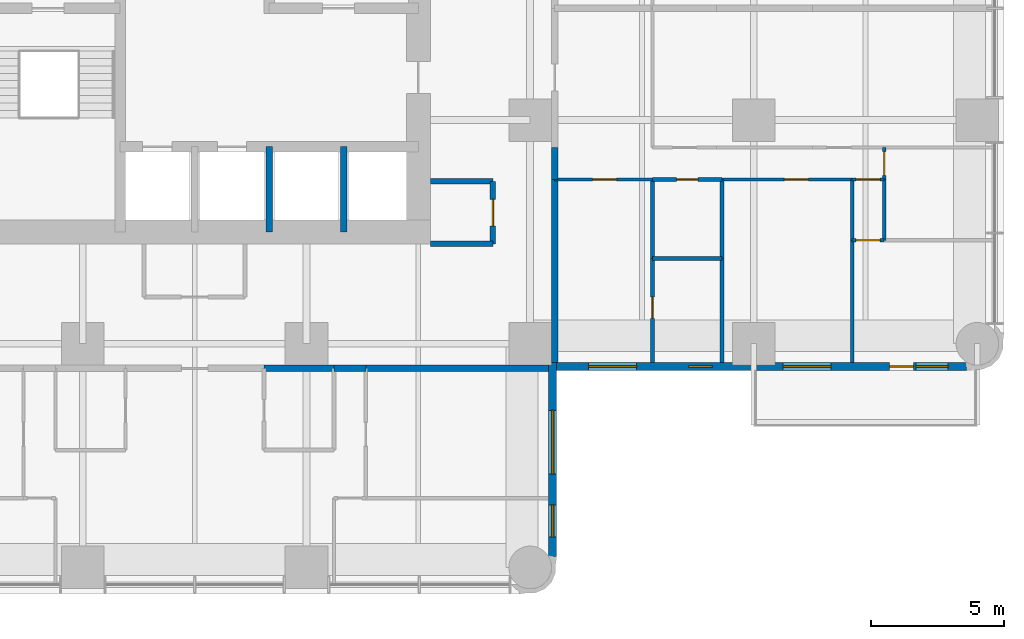
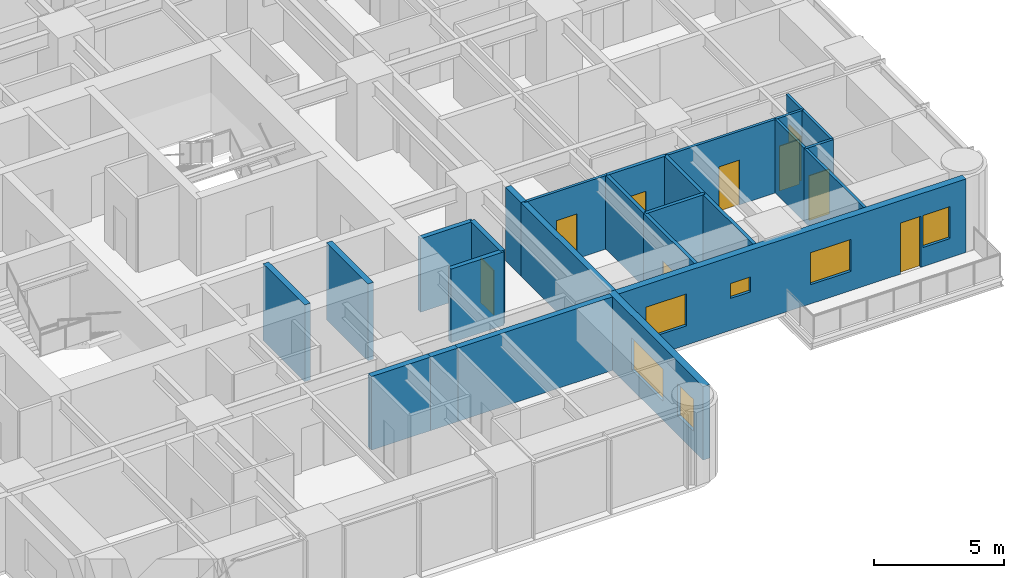
# One storey, part 9 of 15: 26 walls, 9 doors, 6 windows, 15 openings.
"""IFC4 building model written with IfcOpenShell, lengths in metres."""

from ifc_helpers import new_model, si_unit, direction, frame, frame_2d, origin, place, context, subcontext, project, spatial, rectangle, extrude, material, layer, layer_set, type_object, element, fill, save


model = new_model("IFC4")

# Units and contexts
model_context = context("Model", 3, precision=1e-05, world=origin(), true_north=direction((0.0, 1.0)))
body_context = subcontext(model_context, "Body", "Model", "MODEL_VIEW")
ifc_project = project(units=[si_unit("LENGTHUNIT", "METRE"), si_unit("AREAUNIT", "SQUARE_METRE"), si_unit("VOLUMEUNIT", "CUBIC_METRE"), si_unit("PLANEANGLEUNIT", "RADIAN"), si_unit("MASSUNIT", "GRAM", prefix="KILO")], contexts=[model_context])

# Site, building, storey
site_placement = place(None, origin())
site = spatial("IfcSite", under=ifc_project, at=site_placement, CompositionType="ELEMENT")
building_placement = place(site_placement, origin())
building = spatial("IfcBuilding", under=site, at=building_placement, Name="Torre Alcanfor", CompositionType="ELEMENT")
storey_placement = place(building_placement, frame((0.0, 0.0, 119.699951171875)))
storey = spatial("IfcBuildingStorey", under=building, at=storey_placement, Name="L30", CompositionType="ELEMENT", Elevation=119.699951171875)

# Walls
ifc_material_1 = material(Name="Concrete block masonry, hollow blocks NMX-C-404 9 MPa", Category="masonry")
ifc_layer_1 = layer(ifc_material_1, 0.25)
ifc_layer_set_1 = layer_set([ifc_layer_1], Name="Apartment entrance wall 250 EI 60")
wall_type_1 = type_object("IfcWallType", Name="Apartment entrance wall 250 EI 60", PredefinedType="PARTITIONING", material=ifc_layer_set_1)
wall_1_placement = place(storey_placement, frame((42.925048828125, 24.1708984375, 0.0), z_axis=(0.0, 0.0, 1.0), x_axis=(0.0, -1.0, 0.0)))
element("IfcWall", 1, at=wall_1_placement, inside=storey, type_object=wall_type_1, Name="Partition L30-CORR / L30-E2-HALL", PredefinedType="PARTITIONING", context=body_context, shape_type="SweptSolid", body=[
    extrude(rectangle(XDim=1.199951171875, YDim=0.25, at=frame_2d((0.60009765625, 0.0))), origin(), (0.0, 0.0, 1.0), 3.449951171875),
])
wall_2_placement = place(storey_placement, frame((42.925048828125, 22.970947265625, 0.0), z_axis=(0.0, 0.0, 1.0), x_axis=(0.0, -1.0, 0.0)))
element("IfcWall", 2, at=wall_2_placement, inside=storey, type_object=wall_type_1, Name="Partition L30-CORR / L30-E2-SERV", PredefinedType="PARTITIONING", context=body_context, shape_type="SweptSolid", body=[
    extrude(rectangle(XDim=6.870849609375, YDim=0.25, at=frame_2d((3.435546875, 0.0))), origin(), (0.0, 0.0, 1.0), 3.449951171875),
])
wall_3_placement = place(storey_placement, frame((34.62890625, 15.875, 0.0), z_axis=(0.0, 0.0, 1.0), x_axis=(-1.0, 0.0, 0.0)))
element("IfcWall", 3, at=wall_3_placement, inside=storey, type_object=wall_type_1, Name="Partition L30-CORR / L30-SX-BATH2", PredefinedType="PARTITIONING", context=body_context, shape_type="SweptSolid", body=[
    extrude(rectangle(XDim=2.62890625, YDim=0.25, at=frame_2d((1.314453125, 0.0))), origin(), (0.0, 0.0, 1.0), 3.449951171875),
])
wall_4_placement = place(storey_placement, frame((35.8291015625, 15.875, 0.0), z_axis=(0.0, 0.0, 1.0), x_axis=(-1.0, 0.0, 0.0)))
element("IfcWall", 4, at=wall_4_placement, inside=storey, type_object=wall_type_1, Name="Partition L30-CORR / L30-SX-LIVING", PredefinedType="PARTITIONING", context=body_context, shape_type="SweptSolid", body=[
    extrude(rectangle(XDim=1.2001953125, YDim=0.25, at=frame_2d((0.60009765625, 0.0))), origin(), (0.0, 0.0, 1.0), 3.449951171875),
])
wall_5_placement = place(storey_placement, frame((42.699951171875, 15.875, 0.0), z_axis=(0.0, 0.0, 1.0), x_axis=(-1.0, 0.0, 0.0)))
element("IfcWall", 5, at=wall_5_placement, inside=storey, type_object=wall_type_1, Name="Partition L30-CORR / L30-SX-BED2", PredefinedType="PARTITIONING", context=body_context, shape_type="SweptSolid", body=[
    extrude(rectangle(XDim=6.870849609375, YDim=0.25, at=frame_2d((3.435546875, 0.0))), origin(), (0.0, 0.0, 1.0), 3.449951171875),
])

# Wall, opening, door
ifc_material_2 = material(Name="Gypsum board on steel studs", Category="steel")
ifc_layer_2 = layer(ifc_material_2, 0.1201171875)
ifc_layer_set_2 = layer_set([ifc_layer_2], Name="Apartment partition 120")
wall_type_2 = type_object("IfcWallType", Name="Apartment partition 120", PredefinedType="PARTITIONING", material=ifc_layer_set_2)
wall_6_placement = place(storey_placement, frame((46.60009765625, 22.970947265625, 0.0), z_axis=(0.0, 0.0, 1.0), x_axis=(-1.0, 0.0, 0.0)))
wall_6 = element("IfcWall", 6, at=wall_6_placement, inside=storey, type_object=wall_type_2, Name="Partition L30-E2-HALL / L30-E2-SERV", PredefinedType="PARTITIONING", context=body_context, shape_type="SweptSolid", body=[
    extrude(rectangle(XDim=3.675048828125, YDim=0.1201171875, at=frame_2d((1.83740234375, 0.0))), origin(), (0.0, 0.0, 1.0), 3.449951171875),
])
opening_1_placement = place(wall_6_placement, frame((1.35009765625, 0.0, 0.0)))
opening_1 = element("IfcOpeningElement", 7, at=opening_1_placement, cuts=wall_6, Name="Opening D-R1", PredefinedType="OPENING", context=body_context, shape_type="SweptSolid", body=[
    extrude(rectangle(XDim=0.89990234375, YDim=2.10009765625, at=frame_2d((0.449951171875, 1.050048828125))), frame((0.0, 0.070068359375, 0.0), z_axis=(0.0, -1.0, 0.0), x_axis=(1.0, 0.0, 0.0)), (0.0, 0.0, 1.0), 0.14013671875),
])
ifc_material_3 = material(Name="Timber", Category="wood")
door_type_1 = type_object("IfcDoorType", Name="Internal door 900x2100", OperationType="SINGLE_SWING_LEFT", PredefinedType="DOOR", material=ifc_material_3)
door_1_placement = place(opening_1_placement, origin())
door_1 = element("IfcDoor", 8, at=door_1_placement, inside=storey, type_object=door_type_1, Name="Door L30-E2 serv", OperationType="SINGLE_SWING_LEFT", OverallHeight=2.10009765625, OverallWidth=0.89990234375, PredefinedType="DOOR", context=body_context, shape_type="SweptSolid", body=[
    extrude(rectangle(XDim=0.89990234375, YDim=2.10009765625, at=frame_2d((0.449951171875, 1.050048828125))), frame((0.0, 0.02490234375, 0.0), z_axis=(0.0, -1.0, 0.0), x_axis=(1.0, 0.0, 0.0)), (0.0, 0.0, 1.0), 0.050048828125),
])
fill(opening_1, door_1)

wall_7_placement = place(storey_placement, frame((54.10009765625, 22.970947265625, 0.0), z_axis=(0.0, 0.0, 1.0), x_axis=(-1.0, 0.0, 0.0)))
wall_7 = element("IfcWall", 9, at=wall_7_placement, inside=storey, type_object=wall_type_2, Name="Partition L30-E2-HALL / L30-E2-BED3", PredefinedType="PARTITIONING", context=body_context, shape_type="SweptSolid", body=[
    extrude(rectangle(XDim=4.900146484375, YDim=0.1201171875, at=frame_2d((2.4501953125, 0.0))), origin(), (0.0, 0.0, 1.0), 3.449951171875),
])
opening_2_placement = place(wall_7_placement, frame((1.64990234375, 0.0, 0.0)))
opening_2 = element("IfcOpeningElement", 10, at=opening_2_placement, cuts=wall_7, Name="Opening D-R1", PredefinedType="OPENING", context=body_context, shape_type="SweptSolid", body=[
    extrude(rectangle(XDim=0.89990234375, YDim=2.10009765625, at=frame_2d((0.449951171875, 1.050048828125))), frame((0.0, 0.070068359375, 0.0), z_axis=(0.0, -1.0, 0.0), x_axis=(1.0, 0.0, 0.0)), (0.0, 0.0, 1.0), 0.14013671875),
])
door_2_placement = place(opening_2_placement, origin())
door_2 = element("IfcDoor", 11, at=door_2_placement, inside=storey, type_object=door_type_1, Name="Door L30-E2 bed3", OperationType="SINGLE_SWING_LEFT", OverallHeight=2.10009765625, OverallWidth=0.89990234375, PredefinedType="DOOR", context=body_context, shape_type="SweptSolid", body=[
    extrude(rectangle(XDim=0.89990234375, YDim=2.10009765625, at=frame_2d((0.449951171875, 1.050048828125))), frame((0.0, 0.02490234375, 0.0), z_axis=(0.0, -1.0, 0.0), x_axis=(1.0, 0.0, 0.0)), (0.0, 0.0, 1.0), 0.050048828125),
])
fill(opening_2, door_2)

wall_8_placement = place(storey_placement, frame((55.300048828125, 22.970947265625, 0.0), z_axis=(0.0, 0.0, 1.0), x_axis=(-1.0, 0.0, 0.0)))
wall_8 = element("IfcWall", 12, at=wall_8_placement, inside=storey, type_object=wall_type_2, Name="Partition L30-E2-HALL / L30-E2-VEST", PredefinedType="PARTITIONING", context=body_context, shape_type="SweptSolid", body=[
    extrude(rectangle(XDim=1.199951171875, YDim=0.1201171875, at=frame_2d((0.60009765625, 0.0))), origin(), (0.0, 0.0, 1.0), 3.449951171875),
])
opening_3_placement = place(wall_8_placement, frame((0.14990234375, 0.0, 0.0)))
opening_3 = element("IfcOpeningElement", 13, at=opening_3_placement, cuts=wall_8, Name="Opening D-R1", PredefinedType="OPENING", context=body_context, shape_type="SweptSolid", body=[
    extrude(rectangle(XDim=0.89990234375, YDim=2.10009765625, at=frame_2d((0.449951171875, 1.050048828125))), frame((0.0, 0.070068359375, 0.0), z_axis=(0.0, -1.0, 0.0), x_axis=(1.0, 0.0, 0.0)), (0.0, 0.0, 1.0), 0.14013671875),
])
door_3_placement = place(opening_3_placement, origin())
door_3 = element("IfcDoor", 14, at=door_3_placement, inside=storey, type_object=door_type_1, Name="Door L30-E2 vest", OperationType="SINGLE_SWING_LEFT", OverallHeight=2.10009765625, OverallWidth=0.89990234375, PredefinedType="DOOR", context=body_context, shape_type="SweptSolid", body=[
    extrude(rectangle(XDim=0.89990234375, YDim=2.10009765625, at=frame_2d((0.449951171875, 1.050048828125))), frame((0.0, 0.02490234375, 0.0), z_axis=(0.0, -1.0, 0.0), x_axis=(1.0, 0.0, 0.0)), (0.0, 0.0, 1.0), 0.050048828125),
])
fill(opening_3, door_3)

wall_9_placement = place(storey_placement, frame((55.300048828125, 24.1708984375, 0.0), z_axis=(0.0, 0.0, 1.0), x_axis=(0.0, -1.0, 0.0)))
wall_9 = element("IfcWall", 15, at=wall_9_placement, inside=storey, type_object=wall_type_2, Name="Partition L30-E2-HALL / L30-E2-BED2", PredefinedType="PARTITIONING", context=body_context, shape_type="SweptSolid", body=[
    extrude(rectangle(XDim=1.199951171875, YDim=0.1201171875, at=frame_2d((0.60009765625, 0.0))), origin(), (0.0, 0.0, 1.0), 3.449951171875),
])
opening_4_placement = place(wall_9_placement, frame((0.15087890625, 0.0, 0.0)))
opening_4 = element("IfcOpeningElement", 16, at=opening_4_placement, cuts=wall_9, Name="Opening D-R1", PredefinedType="OPENING", context=body_context, shape_type="SweptSolid", body=[
    extrude(rectangle(XDim=0.89990234375, YDim=2.10009765625, at=frame_2d((0.449951171875, 1.050048828125))), frame((0.0, 0.070068359375, 0.0), z_axis=(0.0, -1.0, 0.0), x_axis=(1.0, 0.0, 0.0)), (0.0, 0.0, 1.0), 0.14013671875),
])
door_4_placement = place(opening_4_placement, origin())
door_4 = element("IfcDoor", 17, at=door_4_placement, inside=storey, type_object=door_type_1, Name="Door L30-E2 bed2", OperationType="SINGLE_SWING_LEFT", OverallHeight=2.10009765625, OverallWidth=0.89990234375, PredefinedType="DOOR", context=body_context, shape_type="SweptSolid", body=[
    extrude(rectangle(XDim=0.89990234375, YDim=2.10009765625, at=frame_2d((0.449951171875, 1.050048828125))), frame((0.0, 0.02490234375, 0.0), z_axis=(0.0, -1.0, 0.0), x_axis=(1.0, 0.0, 0.0)), (0.0, 0.0, 1.0), 0.050048828125),
])
fill(opening_4, door_4)

# Walls
wall_10_placement = place(storey_placement, frame((54.10009765625, 22.970947265625, 0.0), z_axis=(0.0, 0.0, 1.0), x_axis=(0.0, -1.0, 0.0)))
element("IfcWall", 18, at=wall_10_placement, inside=storey, type_object=wall_type_2, Name="Partition L30-E2-BED3 / L30-E2-VEST", PredefinedType="PARTITIONING", context=body_context, shape_type="SweptSolid", body=[
    extrude(rectangle(XDim=2.284912109375, YDim=0.1201171875, at=frame_2d((1.142578125, 0.0))), origin(), (0.0, 0.0, 1.0), 3.449951171875),
])
wall_11_placement = place(storey_placement, frame((54.10009765625, 20.68603515625, 0.0), z_axis=(0.0, 0.0, 1.0), x_axis=(0.0, -1.0, 0.0)))
element("IfcWall", 19, at=wall_11_placement, inside=storey, type_object=wall_type_2, Name="Partition L30-E2-BED3 / L30-E2-MASTER", PredefinedType="PARTITIONING", context=body_context, shape_type="SweptSolid", body=[
    extrude(rectangle(XDim=4.5859375, YDim=0.1201171875, at=frame_2d((2.29296875, 0.0))), origin(), (0.0, 0.0, 1.0), 3.449951171875),
])
wall_12_placement = place(storey_placement, frame((55.300048828125, 22.970947265625, 0.0), z_axis=(0.0, 0.0, 1.0), x_axis=(0.0, -1.0, 0.0)))
element("IfcWall", 20, at=wall_12_placement, inside=storey, type_object=wall_type_2, Name="Partition L30-E2-VEST / L30-E2-BED2", PredefinedType="PARTITIONING", context=body_context, shape_type="SweptSolid", body=[
    extrude(rectangle(XDim=2.284912109375, YDim=0.1201171875, at=frame_2d((1.142578125, 0.0))), origin(), (0.0, 0.0, 1.0), 3.449951171875),
])

# Wall, opening, door
wall_13_placement = place(storey_placement, frame((55.300048828125, 20.68603515625, 0.0), z_axis=(0.0, 0.0, 1.0), x_axis=(-1.0, 0.0, 0.0)))
wall_13 = element("IfcWall", 21, at=wall_13_placement, inside=storey, type_object=wall_type_2, Name="Partition L30-E2-VEST / L30-E2-MASTER", PredefinedType="PARTITIONING", context=body_context, shape_type="SweptSolid", body=[
    extrude(rectangle(XDim=1.199951171875, YDim=0.1201171875, at=frame_2d((0.60009765625, 0.0))), origin(), (0.0, 0.0, 1.0), 3.449951171875),
])
opening_5_placement = place(wall_13_placement, frame((0.14990234375, 0.0, 0.0)))
opening_5 = element("IfcOpeningElement", 22, at=opening_5_placement, cuts=wall_13, Name="Opening D-R1", PredefinedType="OPENING", context=body_context, shape_type="SweptSolid", body=[
    extrude(rectangle(XDim=0.89990234375, YDim=2.10009765625, at=frame_2d((0.449951171875, 1.050048828125))), frame((0.0, 0.070068359375, 0.0), z_axis=(0.0, -1.0, 0.0), x_axis=(1.0, 0.0, 0.0)), (0.0, 0.0, 1.0), 0.14013671875),
])
door_5_placement = place(opening_5_placement, frame((0.89990234375, 0.0, 0.0), z_axis=(0.0, 0.0, 1.0), x_axis=(-1.0, 0.0, 0.0)))
door_5 = element("IfcDoor", 23, at=door_5_placement, inside=storey, type_object=door_type_1, Name="Door L30-E2 master", OperationType="SINGLE_SWING_RIGHT", OverallHeight=2.10009765625, OverallWidth=0.89990234375, PredefinedType="DOOR", context=body_context, shape_type="SweptSolid", body=[
    extrude(rectangle(XDim=0.89990234375, YDim=2.10009765625, at=frame_2d((0.449951171875, 1.050048828125))), frame((0.0, 0.025146484375, 0.0), z_axis=(0.0, -1.0, 0.0), x_axis=(1.0, 0.0, 0.0)), (0.0, 0.0, 1.0), 0.050048828125),
])
fill(opening_5, door_5)

# Walls
ifc_material_4 = material(Name="Concrete f'c 70 MPa", Category="concrete")
ifc_layer_3 = layer(ifc_material_4, 0.25)
ifc_layer_set_3 = layer_set([ifc_layer_3], Name="Core shaft wall 250 f'c70")
wall_type_3 = type_object("IfcWallType", Name="Core shaft wall 250 f'c70", PredefinedType="SHEAR", material=ifc_layer_set_3)
for number, where, z_axis, x_axis, name in (
    (24, (32.199951171875, 21.0, 0.0), (0.0, 0.0, 1.0), (0.0, 1.0, 0.0), "Core wall X322S L30"),
    (25, (35.0, 21.0, 0.0), (0.0, 0.0, 1.0), (0.0, 1.0, 0.0), "Core wall X350S L30"),
):
    element("IfcWall", number, at=place(storey_placement, frame(where, z_axis=z_axis, x_axis=x_axis)), inside=storey, type_object=wall_type_3, Name=name, PredefinedType="SHEAR", context=body_context, shape_type="SweptSolid", body=[
        extrude(rectangle(XDim=3.199951171875, YDim=0.25, at=frame_2d((1.60009765625, 0.0))), origin(), (0.0, 0.0, 1.0), 3.60009765625),
    ])

# Wall, openings, windows
ifc_material_5 = material(Name="Limestone cladding", Category="masonry")
ifc_layer_4 = layer(ifc_material_5, 0.0400390625, Name="Facing")
ifc_material_6 = material(Name="Ventilated air cavity")
ifc_layer_5 = layer(ifc_material_6, 0.02001953125, ventilated=True, Name="Ventilated joint")
ifc_material_7 = material(Name="Mineral wool insulation", Category="insulation")
ifc_layer_6 = layer(ifc_material_7, 0.10009765625, Name="Insulation")
ifc_material_8 = material(Name="Concrete f'c 35 MPa", Category="concrete")
ifc_layer_7 = layer(ifc_material_8, 0.139892578125, Name="Backing")
ifc_layer_set_4 = layer_set([ifc_layer_4, ifc_layer_5, ifc_layer_6, ifc_layer_7], Name="External wall stone-clad 300")
wall_type_4 = type_object("IfcWallType", Name="External wall stone-clad 300", PredefinedType="SOLIDWALL", material=ifc_layer_set_4)
wall_14_placement = place(storey_placement, frame((42.85009765625, 8.800048828125, 0.0), z_axis=(0.0, 0.0, 1.0), x_axis=(0.0, 1.0, 0.0)))
wall_14 = element("IfcWall", 26, at=wall_14_placement, inside=storey, type_object=wall_type_4, Name="External wall L30 6", PredefinedType="SOLIDWALL", context=body_context, shape_type="SweptSolid", body=[
    extrude(rectangle(XDim=7.300048828125, YDim=0.300048828125, at=frame_2d((3.64990234375, 0.0))), origin(), (0.0, 0.0, 1.0), 3.449951171875),
])
opening_6_placement = place(wall_14_placement, frame((3.10009765625, 0.0, 0.89990234375)))
opening_6 = element("IfcOpeningElement", 27, at=opening_6_placement, cuts=wall_14, Name="Opening W1", PredefinedType="OPENING", context=body_context, shape_type="SweptSolid", body=[
    extrude(rectangle(XDim=2.39990234375, YDim=1.5, at=frame_2d((1.199951171875, 0.75))), frame((0.0, 0.159912109375, 0.0), z_axis=(0.0, -1.0, 0.0), x_axis=(1.0, 0.0, 0.0)), (0.0, 0.0, 1.0), 0.320068359375),
])
opening_7_placement = place(wall_14_placement, frame((0.75, 0.0, 0.89990234375)))
opening_7 = element("IfcOpeningElement", 28, at=opening_7_placement, cuts=wall_14, Name="Opening W4", PredefinedType="OPENING", context=body_context, shape_type="SweptSolid", body=[
    extrude(rectangle(XDim=1.199951171875, YDim=1.5, at=frame_2d((0.60009765625, 0.75))), frame((0.0, 0.159912109375, 0.0), z_axis=(0.0, -1.0, 0.0), x_axis=(1.0, 0.0, 0.0)), (0.0, 0.0, 1.0), 0.320068359375),
])
ifc_material_9 = material(Name="Aluminium frame with clear double glazing", Category="aluminium")
window_type_1 = type_object("IfcWindowType", Name="Window bedroom 1200x1500", PartitioningType="SINGLE_PANEL", PredefinedType="WINDOW", material=ifc_material_9)
window_1_placement = place(opening_7_placement, origin())
window_1 = element("IfcWindow", 29, at=window_1_placement, inside=storey, type_object=window_type_1, Name="Window W4 L30-S1", OverallHeight=1.5, OverallWidth=1.199951171875, PartitioningType="SINGLE_PANEL", PredefinedType="WINDOW", context=body_context, shape_type="SweptSolid", body=[
    extrude(rectangle(XDim=1.199951171875, YDim=1.5, at=frame_2d((0.60009765625, 0.75))), frame((0.0, 0.030029296875, 0.0), z_axis=(0.0, -1.0, 0.0), x_axis=(1.0, 0.0, 0.0)), (0.0, 0.0, 1.0), 0.06005859375),
])
fill(opening_7, window_1)
ifc_material_10 = material(Name="Aluminium frame with clear double glazing", Category="aluminium")
window_type_2 = type_object("IfcWindowType", Name="Window bedroom 2400x1500", PartitioningType="SINGLE_PANEL", PredefinedType="WINDOW", material=ifc_material_10)
window_2_placement = place(opening_6_placement, origin())
window_2 = element("IfcWindow", 30, at=window_2_placement, inside=storey, type_object=window_type_2, Name="Window W1 L30-S1", OverallHeight=1.5, OverallWidth=2.39990234375, PartitioningType="SINGLE_PANEL", PredefinedType="WINDOW", context=body_context, shape_type="SweptSolid", body=[
    extrude(rectangle(XDim=2.39990234375, YDim=1.5, at=frame_2d((1.199951171875, 0.75))), frame((0.0, 0.030029296875, 0.0), z_axis=(0.0, -1.0, 0.0), x_axis=(1.0, 0.0, 0.0)), (0.0, 0.0, 1.0), 0.06005859375),
])
fill(opening_6, window_2)

# Wall, openings, door, windows
wall_15_placement = place(storey_placement, frame((43.0, 15.949951171875, 0.0), z_axis=(0.0, 0.0, 1.0), x_axis=(1.0, 0.0, 0.0)))
wall_15 = element("IfcWall", 31, at=wall_15_placement, inside=storey, type_object=wall_type_4, Name="External wall L30 7", PredefinedType="SOLIDWALL", context=body_context, shape_type="SweptSolid", body=[
    extrude(rectangle(XDim=15.39990234375, YDim=0.300048828125, at=frame_2d((7.699951171875, 0.0))), origin(), (0.0, 0.0, 1.0), 3.449951171875),
])
opening_8_placement = place(wall_15_placement, frame((1.199951171875, 0.0, 0.89990234375)))
opening_8 = element("IfcOpeningElement", 32, at=opening_8_placement, cuts=wall_15, Name="Opening W2", PredefinedType="OPENING", context=body_context, shape_type="SweptSolid", body=[
    extrude(rectangle(XDim=1.800048828125, YDim=1.5, at=frame_2d((0.89990234375, 0.75))), frame((0.0, 0.159912109375, 0.0), z_axis=(0.0, -1.0, 0.0), x_axis=(1.0, 0.0, 0.0)), (0.0, 0.0, 1.0), 0.320068359375),
])
opening_9_placement = place(wall_15_placement, frame((4.949951171875, 0.0, 1.5)))
opening_9 = element("IfcOpeningElement", 33, at=opening_9_placement, cuts=wall_15, Name="Opening W3", PredefinedType="OPENING", context=body_context, shape_type="SweptSolid", body=[
    extrude(rectangle(XDim=0.89990234375, YDim=0.699951171875, at=frame_2d((0.449951171875, 0.35009765625))), frame((0.0, 0.159912109375, 0.0), z_axis=(0.0, -1.0, 0.0), x_axis=(1.0, 0.0, 0.0)), (0.0, 0.0, 1.0), 0.320068359375),
])
opening_10_placement = place(wall_15_placement, frame((8.5, 0.0, 0.89990234375)))
opening_10 = element("IfcOpeningElement", 34, at=opening_10_placement, cuts=wall_15, Name="Opening W2", PredefinedType="OPENING", context=body_context, shape_type="SweptSolid", body=[
    extrude(rectangle(XDim=1.800048828125, YDim=1.5, at=frame_2d((0.89990234375, 0.75))), frame((0.0, 0.159912109375, 0.0), z_axis=(0.0, -1.0, 0.0), x_axis=(1.0, 0.0, 0.0)), (0.0, 0.0, 1.0), 0.320068359375),
])
opening_11_placement = place(wall_15_placement, frame((12.5, 0.0, 0.0)))
opening_11 = element("IfcOpeningElement", 35, at=opening_11_placement, cuts=wall_15, Name="Opening D-B1", PredefinedType="OPENING", context=body_context, shape_type="SweptSolid", body=[
    extrude(rectangle(XDim=0.89990234375, YDim=2.39990234375, at=frame_2d((0.449951171875, 1.199951171875))), frame((0.0, 0.159912109375, 0.0), z_axis=(0.0, -1.0, 0.0), x_axis=(1.0, 0.0, 0.0)), (0.0, 0.0, 1.0), 0.320068359375),
])
opening_12_placement = place(wall_15_placement, frame((13.5, 0.0, 0.89990234375)))
opening_12 = element("IfcOpeningElement", 36, at=opening_12_placement, cuts=wall_15, Name="Opening W4", PredefinedType="OPENING", context=body_context, shape_type="SweptSolid", body=[
    extrude(rectangle(XDim=1.199951171875, YDim=1.5, at=frame_2d((0.60009765625, 0.75))), frame((0.0, 0.159912109375, 0.0), z_axis=(0.0, -1.0, 0.0), x_axis=(1.0, 0.0, 0.0)), (0.0, 0.0, 1.0), 0.320068359375),
])
ifc_material_11 = material(Name="Aluminium and glass", Category="aluminium")
door_type_2 = type_object("IfcDoorType", Name="Balcony door glazed 900x2400", OperationType="SINGLE_SWING_LEFT", PredefinedType="DOOR", material=ifc_material_11)
door_6_placement = place(opening_11_placement, origin())
door_6 = element("IfcDoor", 37, at=door_6_placement, inside=storey, type_object=door_type_2, Name="Balcony door L30-E2", OperationType="SINGLE_SWING_LEFT", OverallHeight=2.39990234375, OverallWidth=0.89990234375, PredefinedType="DOOR", context=body_context, shape_type="SweptSolid", body=[
    extrude(rectangle(XDim=0.89990234375, YDim=2.39990234375, at=frame_2d((0.449951171875, 1.199951171875))), frame((0.0, 0.02490234375, 0.0), z_axis=(0.0, -1.0, 0.0), x_axis=(1.0, 0.0, 0.0)), (0.0, 0.0, 1.0), 0.050048828125),
])
fill(opening_11, door_6)
ifc_material_12 = material(Name="Aluminium frame with clear double glazing", Category="aluminium")
window_type_3 = type_object("IfcWindowType", Name="Window bathroom 900x700", PartitioningType="SINGLE_PANEL", PredefinedType="WINDOW", material=ifc_material_12)
window_3_placement = place(opening_9_placement, origin())
window_3 = element("IfcWindow", 38, at=window_3_placement, inside=storey, type_object=window_type_3, Name="Window W3 L30-E2", OverallHeight=0.699951171875, OverallWidth=0.89990234375, PartitioningType="SINGLE_PANEL", PredefinedType="WINDOW", context=body_context, shape_type="SweptSolid", body=[
    extrude(rectangle(XDim=0.89990234375, YDim=0.699951171875, at=frame_2d((0.449951171875, 0.35009765625))), frame((0.0, 0.030029296875, 0.0), z_axis=(0.0, -1.0, 0.0), x_axis=(1.0, 0.0, 0.0)), (0.0, 0.0, 1.0), 0.06005859375),
])
fill(opening_9, window_3)
window_4_placement = place(opening_12_placement, origin())
window_4 = element("IfcWindow", 39, at=window_4_placement, inside=storey, type_object=window_type_1, Name="Window W4 L30-E2", OverallHeight=1.5, OverallWidth=1.199951171875, PartitioningType="SINGLE_PANEL", PredefinedType="WINDOW", context=body_context, shape_type="SweptSolid", body=[
    extrude(rectangle(XDim=1.199951171875, YDim=1.5, at=frame_2d((0.60009765625, 0.75))), frame((0.0, 0.030029296875, 0.0), z_axis=(0.0, -1.0, 0.0), x_axis=(1.0, 0.0, 0.0)), (0.0, 0.0, 1.0), 0.06005859375),
])
fill(opening_12, window_4)
ifc_material_13 = material(Name="Aluminium frame with clear double glazing", Category="aluminium")
window_type_4 = type_object("IfcWindowType", Name="Window bedroom 1800x1500", PartitioningType="SINGLE_PANEL", PredefinedType="WINDOW", material=ifc_material_13)
window_5_placement = place(opening_8_placement, origin())
window_5 = element("IfcWindow", 40, at=window_5_placement, inside=storey, type_object=window_type_4, Name="Window W2 L30-E2", OverallHeight=1.5, OverallWidth=1.800048828125, PartitioningType="SINGLE_PANEL", PredefinedType="WINDOW", context=body_context, shape_type="SweptSolid", body=[
    extrude(rectangle(XDim=1.800048828125, YDim=1.5, at=frame_2d((0.89990234375, 0.75))), frame((0.0, 0.030029296875, 0.0), z_axis=(0.0, -1.0, 0.0), x_axis=(1.0, 0.0, 0.0)), (0.0, 0.0, 1.0), 0.06005859375),
])
fill(opening_8, window_5)
window_6_placement = place(opening_10_placement, origin())
window_6 = element("IfcWindow", 41, at=window_6_placement, inside=storey, type_object=window_type_4, Name="Window W2 L30-E2", OverallHeight=1.5, OverallWidth=1.800048828125, PartitioningType="SINGLE_PANEL", PredefinedType="WINDOW", context=body_context, shape_type="SweptSolid", body=[
    extrude(rectangle(XDim=1.800048828125, YDim=1.5, at=frame_2d((0.89990234375, 0.75))), frame((0.0, 0.030029296875, 0.0), z_axis=(0.0, -1.0, 0.0), x_axis=(1.0, 0.0, 0.0)), (0.0, 0.0, 1.0), 0.06005859375),
])
fill(opening_10, window_6)

# Wall
ifc_material_14 = material(Name="Concrete block masonry, hollow blocks NMX-C-404 9 MPa", Category="masonry")
ifc_layer_8 = layer(ifc_material_14, 0.199951171875)
ifc_layer_set_5 = layer_set([ifc_layer_8], Name="Plant room wall 200 EI 60")
wall_type_5 = type_object("IfcWallType", Name="Plant room wall 200 EI 60", PredefinedType="PARTITIONING", material=ifc_layer_set_5)
wall_16_placement = place(storey_placement, frame((38.25, 20.550048828125, 0.0), z_axis=(0.0, 0.0, 1.0), x_axis=(1.0, 0.0, 0.0)))
element("IfcWall", 42, at=wall_16_placement, inside=storey, type_object=wall_type_5, Name="Partition L30-CORR / L30-G03", PredefinedType="PARTITIONING", context=body_context, shape_type="SweptSolid", body=[
    extrude(rectangle(XDim=2.35009765625, YDim=0.199951171875, at=frame_2d((1.175048828125, 0.0))), origin(), (0.0, 0.0, 1.0), 3.449951171875),
])

# Wall, opening, door
wall_17_placement = place(storey_placement, frame((40.60009765625, 20.550048828125, 0.0), z_axis=(0.0, 0.0, 1.0), x_axis=(0.0, 1.0, 0.0)))
wall_17 = element("IfcWall", 43, at=wall_17_placement, inside=storey, type_object=wall_type_5, Name="Partition L30-CORR / L30-G03", PredefinedType="PARTITIONING", context=body_context, shape_type="SweptSolid", body=[
    extrude(rectangle(XDim=2.349853515625, YDim=0.199951171875, at=frame_2d((1.1748046875, 0.0))), origin(), (0.0, 0.0, 1.0), 3.449951171875),
])
opening_13_placement = place(wall_17_placement, frame((0.675048828125, 0.0, 0.0)))
opening_13 = element("IfcOpeningElement", 44, at=opening_13_placement, cuts=wall_17, Name="Opening D-K1", PredefinedType="OPENING", context=body_context, shape_type="SweptSolid", body=[
    extrude(rectangle(XDim=1.0, YDim=2.10009765625, at=frame_2d((0.5, 1.050048828125))), frame((0.0, 0.10986328125, 0.0), z_axis=(0.0, -1.0, 0.0), x_axis=(1.0, 0.0, 0.0)), (0.0, 0.0, 1.0), 0.219970703125),
])
ifc_material_15 = material(Name="Galvanised steel sheet ASTM A653", Category="steel")
door_type_3 = type_object("IfcDoorType", Name="Core room door FD60 1000x2100", OperationType="SINGLE_SWING_LEFT", PredefinedType="DOOR", material=ifc_material_15)
door_7_placement = place(opening_13_placement, origin())
door_7 = element("IfcDoor", 45, at=door_7_placement, inside=storey, type_object=door_type_3, Name="Door L30-G03 refuse and recycling store", OperationType="SINGLE_SWING_LEFT", OverallHeight=2.10009765625, OverallWidth=1.0, PredefinedType="DOOR", context=body_context, shape_type="SweptSolid", body=[
    extrude(rectangle(XDim=1.0, YDim=2.10009765625, at=frame_2d((0.5, 1.050048828125))), frame((0.0, 0.02490234375, 0.0), z_axis=(0.0, -1.0, 0.0), x_axis=(1.0, 0.0, 0.0)), (0.0, 0.0, 1.0), 0.050048828125),
])
fill(opening_13, door_7)

# Wall
wall_18_placement = place(storey_placement, frame((40.60009765625, 22.89990234375, 0.0), z_axis=(0.0, 0.0, 1.0), x_axis=(-1.0, 0.0, 0.0)))
element("IfcWall", 46, at=wall_18_placement, inside=storey, type_object=wall_type_5, Name="Partition L30-CORR / L30-G03", PredefinedType="PARTITIONING", context=body_context, shape_type="SweptSolid", body=[
    extrude(rectangle(XDim=2.35009765625, YDim=0.199951171875, at=frame_2d((1.175048828125, 0.0))), origin(), (0.0, 0.0, 1.0), 3.449951171875),
])

# Wall, opening, door
ifc_material_16 = material(Name="Cement board on steel studs", Category="steel")
ifc_layer_9 = layer(ifc_material_16, 0.14990234375)
ifc_layer_set_6 = layer_set([ifc_layer_9], Name="Wet area partition 150")
wall_type_6 = type_object("IfcWallType", Name="Wet area partition 150", PredefinedType="PARTITIONING", material=ifc_layer_set_6)
wall_19_placement = place(storey_placement, frame((49.199951171875, 22.970947265625, 0.0), z_axis=(0.0, 0.0, 1.0), x_axis=(-1.0, 0.0, 0.0)))
wall_19 = element("IfcWall", 47, at=wall_19_placement, inside=storey, type_object=wall_type_6, Name="Partition L30-E2-HALL / L30-E2-BATH1", PredefinedType="PARTITIONING", context=body_context, shape_type="SweptSolid", body=[
    extrude(rectangle(XDim=2.599853515625, YDim=0.14990234375, at=frame_2d((1.2998046875, 0.0))), origin(), (0.0, 0.0, 1.0), 3.449951171875),
])
opening_14_placement = place(wall_19_placement, frame((0.89990234375, 0.0, 0.0)))
opening_14 = element("IfcOpeningElement", 48, at=opening_14_placement, cuts=wall_19, Name="Opening D-R2", PredefinedType="OPENING", context=body_context, shape_type="SweptSolid", body=[
    extrude(rectangle(XDim=0.800048828125, YDim=2.10009765625, at=frame_2d((0.39990234375, 1.050048828125))), frame((0.0, 0.0849609375, 0.0), z_axis=(0.0, -1.0, 0.0), x_axis=(1.0, 0.0, 0.0)), (0.0, 0.0, 1.0), 0.169921875),
])
ifc_material_17 = material(Name="Timber", Category="wood")
door_type_4 = type_object("IfcDoorType", Name="Bathroom door 800x2100", OperationType="SINGLE_SWING_LEFT", PredefinedType="DOOR", material=ifc_material_17)
door_8_placement = place(opening_14_placement, origin())
door_8 = element("IfcDoor", 49, at=door_8_placement, inside=storey, type_object=door_type_4, Name="Door L30-E2 bath1", OperationType="SINGLE_SWING_LEFT", OverallHeight=2.10009765625, OverallWidth=0.800048828125, PredefinedType="DOOR", context=body_context, shape_type="SweptSolid", body=[
    extrude(rectangle(XDim=0.800048828125, YDim=2.10009765625, at=frame_2d((0.39990234375, 1.050048828125))), frame((0.0, 0.02490234375, 0.0), z_axis=(0.0, -1.0, 0.0), x_axis=(1.0, 0.0, 0.0)), (0.0, 0.0, 1.0), 0.050048828125),
])
fill(opening_14, door_8)

# Wall
wall_20_placement = place(storey_placement, frame((46.60009765625, 22.970947265625, 0.0), z_axis=(0.0, 0.0, 1.0), x_axis=(0.0, -1.0, 0.0)))
element("IfcWall", 50, at=wall_20_placement, inside=storey, type_object=wall_type_6, Name="Partition L30-E2-SERV / L30-E2-BATH1", PredefinedType="PARTITIONING", context=body_context, shape_type="SweptSolid", body=[
    extrude(rectangle(XDim=2.970947265625, YDim=0.14990234375, at=frame_2d((1.4853515625, 0.0))), origin(), (0.0, 0.0, 1.0), 3.449951171875),
])

# Wall, opening, door
wall_21_placement = place(storey_placement, frame((46.60009765625, 20.0, 0.0), z_axis=(0.0, 0.0, 1.0), x_axis=(0.0, -1.0, 0.0)))
wall_21 = element("IfcWall", 51, at=wall_21_placement, inside=storey, type_object=wall_type_6, Name="Partition L30-E2-SERV / L30-E2-SBATH", PredefinedType="PARTITIONING", context=body_context, shape_type="SweptSolid", body=[
    extrude(rectangle(XDim=3.89990234375, YDim=0.14990234375, at=frame_2d((1.949951171875, 0.0))), origin(), (0.0, 0.0, 1.0), 3.449951171875),
])
opening_15_placement = place(wall_21_placement, frame((1.449951171875, 0.0, 0.0)))
opening_15 = element("IfcOpeningElement", 52, at=opening_15_placement, cuts=wall_21, Name="Opening D-R2", PredefinedType="OPENING", context=body_context, shape_type="SweptSolid", body=[
    extrude(rectangle(XDim=0.800048828125, YDim=2.10009765625, at=frame_2d((0.39990234375, 1.050048828125))), frame((0.0, 0.0849609375, 0.0), z_axis=(0.0, -1.0, 0.0), x_axis=(1.0, 0.0, 0.0)), (0.0, 0.0, 1.0), 0.169921875),
])
door_9_placement = place(opening_15_placement, origin())
door_9 = element("IfcDoor", 53, at=door_9_placement, inside=storey, type_object=door_type_4, Name="Door L30-E2 sbath", OperationType="SINGLE_SWING_LEFT", OverallHeight=2.10009765625, OverallWidth=0.800048828125, PredefinedType="DOOR", context=body_context, shape_type="SweptSolid", body=[
    extrude(rectangle(XDim=0.800048828125, YDim=2.10009765625, at=frame_2d((0.39990234375, 1.050048828125))), frame((0.0, 0.02490234375, 0.0), z_axis=(0.0, -1.0, 0.0), x_axis=(1.0, 0.0, 0.0)), (0.0, 0.0, 1.0), 0.050048828125),
])
fill(opening_15, door_9)

# Walls
wall_22_placement = place(storey_placement, frame((49.199951171875, 20.0, 0.0), z_axis=(0.0, 0.0, 1.0), x_axis=(-1.0, 0.0, 0.0)))
element("IfcWall", 54, at=wall_22_placement, inside=storey, type_object=wall_type_6, Name="Partition L30-E2-BATH1 / L30-E2-SBATH", PredefinedType="PARTITIONING", context=body_context, shape_type="SweptSolid", body=[
    extrude(rectangle(XDim=2.599853515625, YDim=0.14990234375, at=frame_2d((1.2998046875, 0.0))), origin(), (0.0, 0.0, 1.0), 3.449951171875),
])
wall_23_placement = place(storey_placement, frame((49.199951171875, 22.970947265625, 0.0), z_axis=(0.0, 0.0, 1.0), x_axis=(0.0, -1.0, 0.0)))
element("IfcWall", 55, at=wall_23_placement, inside=storey, type_object=wall_type_6, Name="Partition L30-E2-BATH1 / L30-E2-BED3", PredefinedType="PARTITIONING", context=body_context, shape_type="SweptSolid", body=[
    extrude(rectangle(XDim=2.970947265625, YDim=0.14990234375, at=frame_2d((1.4853515625, 0.0))), origin(), (0.0, 0.0, 1.0), 3.449951171875),
])
wall_24_placement = place(storey_placement, frame((49.199951171875, 20.0, 0.0), z_axis=(0.0, 0.0, 1.0), x_axis=(0.0, -1.0, 0.0)))
element("IfcWall", 56, at=wall_24_placement, inside=storey, type_object=wall_type_6, Name="Partition L30-E2-SBATH / L30-E2-BED3", PredefinedType="PARTITIONING", context=body_context, shape_type="SweptSolid", body=[
    extrude(rectangle(XDim=3.89990234375, YDim=0.14990234375, at=frame_2d((1.949951171875, 0.0))), origin(), (0.0, 0.0, 1.0), 3.449951171875),
])

save(model, "model.ifc")
